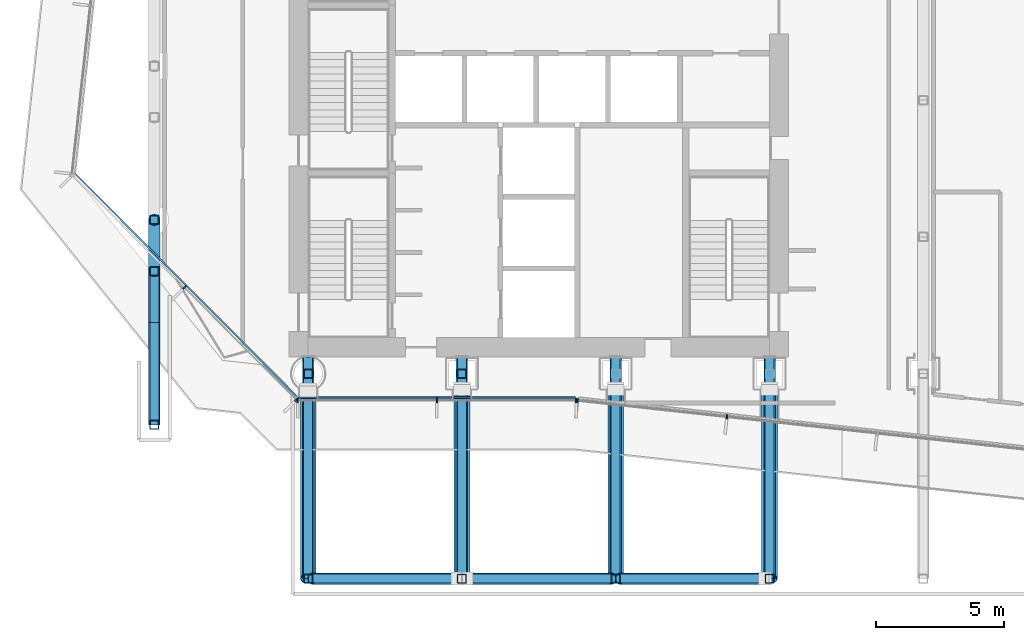
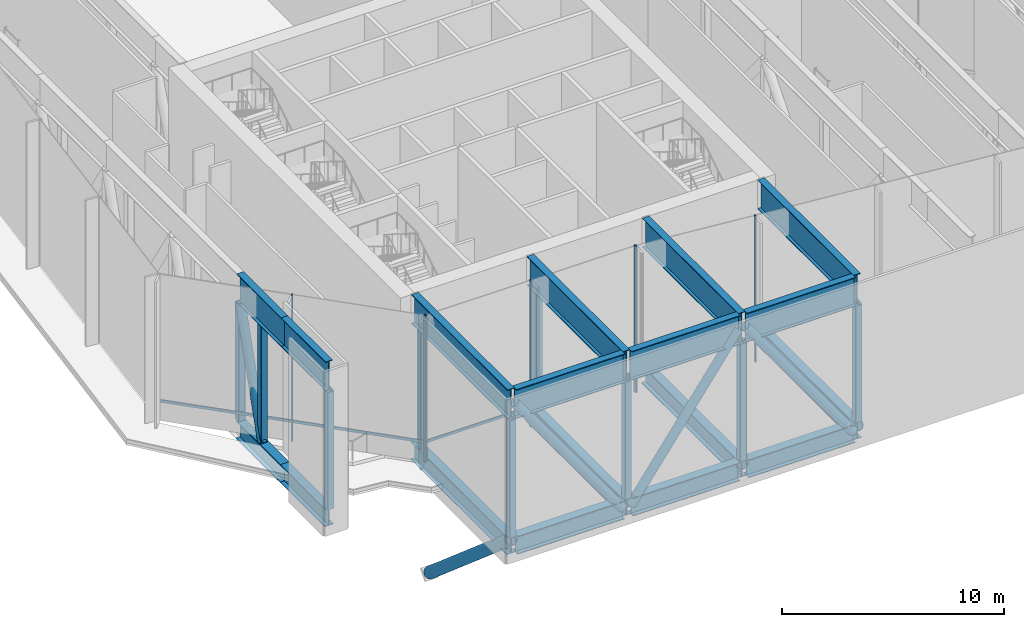
# One storey, part 1 of 24: 38 members, 6 beams, 3 elements without a shape of their own.
"""IFC4 building model written with IfcOpenShell, lengths in metres."""

from ifc_helpers import new_model, si_unit, direction, frame, origin, origin_2d, place, context, subcontext, project, spatial, rectangle, hollow_rectangle, hollow_circle, i_section, extrude, material, layer, layer_set, material_profile, profile_set, type_object, element, aggregate, save


model = new_model("IFC4")

# Units and contexts
model_context = context("Model", 3, precision=1e-05, world=origin(), true_north=direction((0.0, 1.0)))
body_context = subcontext(model_context, "Body", "Model", "MODEL_VIEW")
ifc_project = project(units=[si_unit("LENGTHUNIT", "METRE"), si_unit("AREAUNIT", "SQUARE_METRE"), si_unit("VOLUMEUNIT", "CUBIC_METRE"), si_unit("PLANEANGLEUNIT", "RADIAN"), si_unit("MASSUNIT", "GRAM", prefix="KILO")], contexts=[model_context])

# Site, building, storey
site_placement = place(None, origin())
site = spatial("IfcSite", under=ifc_project, at=site_placement, CompositionType="ELEMENT")
building_placement = place(site_placement, origin())
building = spatial("IfcBuilding", under=site, at=building_placement, Name="Welwitschia Terrace Campus", CompositionType="ELEMENT")
storey_placement = place(building_placement, frame((0.0, 0.0, 138.199951171875)))
storey = spatial("IfcBuildingStorey", under=building, at=storey_placement, Name="L31", CompositionType="ELEMENT", Elevation=138.199951171875)

# Curtain wall, members
ifc_material_1 = material(Name="Bronze anodised aluminium", Category="aluminium")
ifc_layer = layer(ifc_material_1, 0.159912109375)
ifc_layer_set = layer_set([ifc_layer], Name="Bronze anodised aluminium")
curtain_wall_type = type_object("IfcCurtainWallType", Name="Curtain wall CW3 commons 6000", PredefinedType="NOTDEFINED", material=ifc_layer_set)
curtain_wall_1_placement = place(storey_placement, origin())
curtain_wall_1 = element("IfcCurtainWall", 1, at=curtain_wall_1_placement, inside=storey, type_object=curtain_wall_type, Name="CW L31.0.0", PredefinedType="NOTDEFINED")
ifc_material_2 = material(Name="Bronze anodised aluminium", Category="aluminium")
ifc_material_profile_1 = material_profile(ifc_material_2, rectangle(XDim=0.159912109375, YDim=0.06005859375, at=origin_2d()))
ifc_profile_set_1 = profile_set([ifc_material_profile_1], Name="Bronze anodised aluminium")
member_type_1 = type_object("IfcMemberType", Name="Mullion 60x160", PredefinedType="MULLION", material=ifc_profile_set_1)
member_1_placement = place(storey_placement, frame((1.17138671875, 7.356201171875, 0.0), z_axis=(0.0, 0.0, 1.0), x_axis=(0.70854216269, 0.705668480018, 0.0)))
member_1 = element("IfcMember", 2, at=member_1_placement, type_object=member_type_1, Name="Mullion L31.0.0.1", PredefinedType="MULLION", context=body_context, shape_type="SweptSolid", body=[
    extrude(rectangle(XDim=0.159912109375, YDim=0.06005859375, at=origin_2d()), origin(), (0.0, 0.0, 1.0), 8.050048828125),
])
member_2_placement = place(storey_placement, frame((5.53857421875, 2.97119140625, 0.0), z_axis=(0.0, 0.0, 1.0), x_axis=(0.70854216269, 0.705668480018, 0.0)))
member_2 = element("IfcMember", 3, at=member_2_placement, type_object=member_type_1, Name="Mullion L31.0.0.2", PredefinedType="MULLION", context=body_context, shape_type="SweptSolid", body=[
    extrude(rectangle(XDim=0.159912109375, YDim=0.06005859375, at=origin_2d()), origin(), (0.0, 0.0, 1.0), 8.050048828125),
])

curtain_wall_2_placement = place(storey_placement, origin())
curtain_wall_2 = element("IfcCurtainWall", 4, at=curtain_wall_2_placement, inside=storey, type_object=curtain_wall_type, Name="CW L31.1.0", PredefinedType="NOTDEFINED")
member_3_placement = place(storey_placement, frame((5.589599609375, 2.949951171875, 0.0), z_axis=(0.0, 0.0, 1.0), x_axis=(0.0, 1.0, 0.0)))
member_3 = element("IfcMember", 5, at=member_3_placement, type_object=member_type_1, Name="Mullion L31.1.0.0", PredefinedType="MULLION", context=body_context, shape_type="SweptSolid", body=[
    extrude(rectangle(XDim=0.159912109375, YDim=0.06005859375, at=origin_2d()), origin(), (0.0, 0.0, 1.0), 8.050048828125),
])
member_4_placement = place(storey_placement, frame((11.02197265625, 2.949951171875, 0.0), z_axis=(0.0, 0.0, 1.0), x_axis=(0.0, 1.0, 0.0)))
member_4 = element("IfcMember", 6, at=member_4_placement, type_object=member_type_1, Name="Mullion L31.1.0.1", PredefinedType="MULLION", context=body_context, shape_type="SweptSolid", body=[
    extrude(rectangle(XDim=0.159912109375, YDim=0.06005859375, at=origin_2d()), origin(), (0.0, 0.0, 1.0), 8.050048828125),
])
member_5_placement = place(storey_placement, frame((16.45458984375, 2.949951171875, 0.0), z_axis=(0.0, 0.0, 1.0), x_axis=(0.0, 1.0, 0.0)))
member_5 = element("IfcMember", 7, at=member_5_placement, type_object=member_type_1, Name="Mullion L31.1.0.2", PredefinedType="MULLION", context=body_context, shape_type="SweptSolid", body=[
    extrude(rectangle(XDim=0.159912109375, YDim=0.06005859375, at=origin_2d()), origin(), (0.0, 0.0, 1.0), 8.050048828125),
])

curtain_wall_3_placement = place(storey_placement, origin())
curtain_wall_3 = element("IfcCurtainWall", 8, at=curtain_wall_3_placement, inside=storey, type_object=curtain_wall_type, Name="CW L31.2.0", PredefinedType="NOTDEFINED")
member_6_placement = place(storey_placement, frame((16.514404296875, 2.94677734375, 0.0), z_axis=(0.0, 0.0, 1.0), x_axis=(0.108866874852, 0.994056338222, 0.0)))
member_6 = element("IfcMember", 9, at=member_6_placement, type_object=member_type_1, Name="Mullion L31.2.0.0", PredefinedType="MULLION", context=body_context, shape_type="SweptSolid", body=[
    extrude(rectangle(XDim=0.159912109375, YDim=0.06005859375, at=origin_2d()), origin(), (0.0, 0.0, 1.0), 8.050048828125),
])
member_7_placement = place(storey_placement, frame((22.338623046875, 2.308837890625, 0.0), z_axis=(0.0, 0.0, 1.0), x_axis=(0.108866874852, 0.994056338222, 0.0)))
member_7 = element("IfcMember", 10, at=member_7_placement, type_object=member_type_1, Name="Mullion L31.2.0.1", PredefinedType="MULLION", context=body_context, shape_type="SweptSolid", body=[
    extrude(rectangle(XDim=0.159912109375, YDim=0.06005859375, at=origin_2d()), origin(), (0.0, 0.0, 1.0), 8.050048828125),
])
aggregate(curtain_wall_3, [member_6, member_7])

# Members
ifc_material_3 = material(Name="Steel S355", Category="steel")
ifc_material_profile_2 = material_profile(ifc_material_3, hollow_circle(Radius=0.304931640625, WallThickness=0.02490234375, at=origin_2d()))
ifc_profile_set_2 = profile_set([ifc_material_profile_2], Name="Steel S355")
member_type_2 = type_object("IfcMemberType", Name="Tip brace C2 CHS 610x25", PredefinedType="BRACE", material=ifc_profile_set_2)
member_8_placement = place(storey_placement, frame((6.0, 3.302001953125, -6.474853515625), z_axis=(0.0, -0.759122215847, 0.650948124974), x_axis=(1.0, 0.0, 0.0)))
element("IfcMember", 11, at=member_8_placement, inside=storey, type_object=member_type_2, Name="Tip brace", PredefinedType="BRACE", context=body_context, shape_type="SweptSolid", body=[
    extrude(hollow_circle(Radius=0.304931640625, WallThickness=0.02490234375, at=origin_2d()), origin(), (0.0, 0.0, 1.0), 9.618896484375),
])
for number, where, z_axis, x_axis, name in (
    (12, (12.0, 3.352783203125, -6.474853515625), (0.0, -0.761345826408, 0.648345997606), (1.0, 0.0, 0.0), "Tip brace"),
    (13, (18.0, 3.352783203125, -6.474853515625), (0.0, -0.761345826408, 0.648345997606), (1.0, 0.0, 0.0), "Tip brace"),
    (14, (24.0, 3.352783203125, -6.474853515625), (0.0, -0.761345826408, 0.648345997606), (1.0, 0.0, 0.0), "Tip brace"),
):
    element("IfcMember", number, at=place(storey_placement, frame(where, z_axis=z_axis, x_axis=x_axis)), inside=storey, type_object=member_type_2, Name=name, PredefinedType="BRACE", context=body_context, shape_type="SweptSolid", body=[
        extrude(hollow_circle(Radius=0.304931640625, WallThickness=0.02490234375, at=origin_2d()), origin(), (0.0, 0.0, 1.0), 9.65771484375),
    ])
ifc_material_4 = material(Name="Steel S355", Category="steel")
ifc_material_profile_3 = material_profile(ifc_material_4, hollow_circle(Radius=0.228515625, WallThickness=0.02001953125, at=origin_2d()))
ifc_profile_set_3 = profile_set([ifc_material_profile_3], Name="Steel S355")
member_type_3 = type_object("IfcMemberType", Name="Tip edge diagonal C2 CHS 457x20", PredefinedType="BRACE", material=ifc_profile_set_3)
for number, where, z_axis, x_axis, name in (
    (15, (11.77490234375, -4.0, -0.5), (-0.585671400186, 0.0, 0.810548586455), (0.0, -1.0, 0.0), "Truss diagonal"),
    (16, (12.22509765625, -4.0, -0.5), (0.585671400186, 0.0, 0.810548586455), (0.0, 1.0, 0.0), "Truss diagonal"),
    (17, (23.77490234375, -4.0, -0.5), (-0.585671400186, 0.0, 0.810548586455), (0.0, -1.0, 0.0), "Truss diagonal"),
):
    element("IfcMember", number, at=place(storey_placement, frame(where, z_axis=z_axis, x_axis=x_axis)), inside=storey, type_object=member_type_3, Name=name, PredefinedType="BRACE", context=body_context, shape_type="SweptSolid", body=[
        extrude(hollow_circle(Radius=0.228515625, WallThickness=0.02001953125, at=origin_2d()), origin(), (0.0, 0.0, 1.0), 9.5615234375),
    ])

# Beams
ifc_material_5 = material(Name="Steel S355", Category="steel")
ifc_material_profile_4 = material_profile(ifc_material_5, i_section(OverallWidth=0.449951171875, OverallDepth=1.0, WebThickness=0.030029296875, FlangeThickness=0.0400390625, at=origin_2d()))
ifc_profile_set_4 = profile_set([ifc_material_profile_4], Name="Steel S355")
beam_type_1 = type_object("IfcBeamType", Name="Tip edge girder C2 bottom WI 1000x450x30x40", PredefinedType="BEAM", material=ifc_profile_set_4)
for number, where, z_axis, x_axis, name in (
    (18, (6.22509765625, -4.0, -0.5), (1.0, 0.0, 0.0), (0.0, 1.0, 0.0), "Tip edge girder"),
    (19, (12.22509765625, -4.0, -0.5), (1.0, 0.0, 0.0), (0.0, 1.0, 0.0), "Tip edge girder"),
    (20, (18.22509765625, -4.0, -0.5), (1.0, 0.0, 0.0), (0.0, 1.0, 0.0), "Tip edge girder"),
):
    element("IfcBeam", number, at=place(storey_placement, frame(where, z_axis=z_axis, x_axis=x_axis)), inside=storey, type_object=beam_type_1, Name=name, PredefinedType="BEAM", context=body_context, shape_type="SweptSolid", body=[
        extrude(i_section(OverallWidth=0.449951171875, OverallDepth=1.0, WebThickness=0.030029296875, FlangeThickness=0.0400390625, at=origin_2d()), origin(), (0.0, 0.0, 1.0), 5.5498046875),
    ])
ifc_material_6 = material(Name="Steel S355", Category="steel")
ifc_material_profile_5 = material_profile(ifc_material_6, i_section(OverallWidth=0.35009765625, OverallDepth=1.60009765625, WebThickness=0.030029296875, FlangeThickness=0.0400390625, at=origin_2d()))
ifc_profile_set_5 = profile_set([ifc_material_profile_5], Name="Steel S355")
beam_type_2 = type_object("IfcBeamType", Name="Tip edge girder C2 top WI 1600x350x30x40", PredefinedType="BEAM", material=ifc_profile_set_5)
for number, where, z_axis, x_axis, name in (
    (21, (6.175048828125, -4.0, 7.25), (1.0, 0.0, 0.0), (0.0, 1.0, 0.0), "Tip edge girder"),
    (22, (12.175048828125, -4.0, 7.25), (1.0, 0.0, 0.0), (0.0, 1.0, 0.0), "Tip edge girder"),
    (23, (18.175048828125, -4.0, 7.25), (1.0, 0.0, 0.0), (0.0, 1.0, 0.0), "Tip edge girder"),
):
    element("IfcBeam", number, at=place(storey_placement, frame(where, z_axis=z_axis, x_axis=x_axis)), inside=storey, type_object=beam_type_2, Name=name, PredefinedType="BEAM", context=body_context, shape_type="SweptSolid", body=[
        extrude(i_section(OverallWidth=0.35009765625, OverallDepth=1.60009765625, WebThickness=0.030029296875, FlangeThickness=0.0400390625, at=origin_2d()), origin(), (0.0, 0.0, 1.0), 5.64990234375),
    ])

# Members
ifc_material_7 = material(Name="Steel S355", Category="steel")
ifc_material_profile_6 = material_profile(ifc_material_7, i_section(OverallWidth=0.449951171875, OverallDepth=1.0, WebThickness=0.0400390625, FlangeThickness=0.0400390625, at=origin_2d()))
ifc_profile_set_6 = profile_set([ifc_material_profile_6], Name="Steel S355")
member_type_4 = type_object("IfcMemberType", Name="Transfer truss C2 bottom cantilever chord WI 1000x450x40x40", PredefinedType="CHORD", material=ifc_profile_set_6)
for number, where, z_axis, x_axis, name in (
    (24, (0.0, 2.0, -0.5), (0.0, 1.0, 0.0), (-1.0, 0.0, 0.0), "Truss bottom chord"),
    (25, (0.0, 6.0, -0.5), (0.0, 1.0, 0.0), (-1.0, 0.0, 0.0), "Truss bottom chord"),
):
    element("IfcMember", number, at=place(storey_placement, frame(where, z_axis=z_axis, x_axis=x_axis)), inside=storey, type_object=member_type_4, Name=name, PredefinedType="CHORD", context=body_context, shape_type="SweptSolid", body=[
        extrude(i_section(OverallWidth=0.449951171875, OverallDepth=1.0, WebThickness=0.0400390625, FlangeThickness=0.0400390625, at=origin_2d()), origin(), (0.0, 0.0, 1.0), 4.0),
    ])
for number, where, z_axis, x_axis, name in (
    (26, (6.0, -4.0, -0.5), (0.0, 1.0, 0.0), (-1.0, 0.0, 0.0), "Truss bottom chord"),
    (27, (12.0, -4.0, -0.5), (0.0, 1.0, 0.0), (-1.0, 0.0, 0.0), "Truss bottom chord"),
    (28, (18.0, -4.0, -0.5), (0.0, 1.0, 0.0), (-1.0, 0.0, 0.0), "Truss bottom chord"),
    (29, (24.0, -4.0, -0.5), (0.0, 1.0, 0.0), (-1.0, 0.0, 0.0), "Truss bottom chord"),
):
    element("IfcMember", number, at=place(storey_placement, frame(where, z_axis=z_axis, x_axis=x_axis)), inside=storey, type_object=member_type_4, Name=name, PredefinedType="CHORD", context=body_context, shape_type="SweptSolid", body=[
        extrude(i_section(OverallWidth=0.449951171875, OverallDepth=1.0, WebThickness=0.0400390625, FlangeThickness=0.0400390625, at=origin_2d()), origin(), (0.0, 0.0, 1.0), 8.64990234375),
    ])
ifc_material_8 = material(Name="Steel S355", Category="steel")
ifc_material_profile_7 = material_profile(ifc_material_8, hollow_circle(Radius=0.228515625, WallThickness=0.02001953125, at=origin_2d()))
ifc_profile_set_7 = profile_set([ifc_material_profile_7], Name="Steel S355")
member_type_5 = type_object("IfcMemberType", Name="Transfer truss C2 diagonal CHS 457x20", PredefinedType="BRACE", material=ifc_profile_set_7)
member_9_placement = place(storey_placement, frame((0.0, 8.0, 0.0), z_axis=(0.0, 0.296168365803, 0.955135749042), x_axis=(-1.0, 0.0, 0.0)))
element("IfcMember", 30, at=member_9_placement, inside=storey, type_object=member_type_5, Name="Truss diagonal", PredefinedType="BRACE", context=body_context, shape_type="SweptSolid", body=[
    extrude(hollow_circle(Radius=0.228515625, WallThickness=0.02001953125, at=origin_2d()), origin(), (0.0, 0.0, 1.0), 6.7529296875),
])
ifc_material_9 = material(Name="Steel S355", Category="steel")
ifc_material_profile_8 = material_profile(ifc_material_9, hollow_rectangle(XDim=0.35009765625, YDim=0.35009765625, WallThickness=0.02001953125, InnerFilletRadius=0.02001953125, OuterFilletRadius=0.030029296875, at=origin_2d()))
ifc_profile_set_8 = profile_set([ifc_material_profile_8], Name="Steel S355")
member_type_6 = type_object("IfcMemberType", Name="Transfer truss C2 post SHS 350x350x20", PredefinedType="POST", material=ifc_profile_set_8)
for number, where, z_axis, x_axis, name in (
    (31, (0.0, 2.0, 0.0), (0.0, 0.0, 1.0), (1.0, 0.0, 0.0), "Truss post"),
    (32, (0.0, 8.0, 0.0), (0.0, 0.0, 1.0), (1.0, 0.0, 0.0), "Truss post"),
    (33, (0.0, 10.0, 0.0), (0.0, 0.0, 1.0), (1.0, 0.0, 0.0), "Truss post"),
    (34, (6.0, -4.0, 0.0), (0.0, 0.0, 1.0), (1.0, 0.0, 0.0), "Truss post"),
    (35, (6.0, 4.0, 0.0), (0.0, 0.0, 1.0), (1.0, 0.0, 0.0), "Truss post"),
    (36, (12.0, -4.0, 0.0), (0.0, 0.0, 1.0), (1.0, 0.0, 0.0), "Truss post"),
    (37, (12.0, 4.0, 0.0), (0.0, 0.0, 1.0), (1.0, 0.0, 0.0), "Truss post"),
    (38, (18.0, -4.0, 0.0), (0.0, 0.0, 1.0), (1.0, 0.0, 0.0), "Truss post"),
    (39, (24.0, -4.0, 0.0), (0.0, 0.0, 1.0), (1.0, 0.0, 0.0), "Truss post"),
):
    element("IfcMember", number, at=place(storey_placement, frame(where, z_axis=z_axis, x_axis=x_axis)), inside=storey, type_object=member_type_6, Name=name, PredefinedType="POST", context=body_context, shape_type="SweptSolid", body=[
        extrude(hollow_rectangle(XDim=0.35009765625, YDim=0.35009765625, WallThickness=0.02001953125, InnerFilletRadius=0.02001953125, OuterFilletRadius=0.030029296875, at=origin_2d()), origin(), (0.0, 0.0, 1.0), 6.449951171875),
    ])
ifc_material_10 = material(Name="Steel S355", Category="steel")
ifc_material_profile_9 = material_profile(ifc_material_10, i_section(OverallWidth=0.35009765625, OverallDepth=1.60009765625, WebThickness=0.0400390625, FlangeThickness=0.0400390625, at=origin_2d()))
ifc_profile_set_9 = profile_set([ifc_material_profile_9], Name="Steel S355")
member_type_7 = type_object("IfcMemberType", Name="Transfer truss C2 top cantilever chord WI 1600x350x40x40", PredefinedType="CHORD", material=ifc_profile_set_9)
for number, where, z_axis, x_axis, name in (
    (40, (0.0, 2.0, 7.25), (0.0, 1.0, 0.0), (-1.0, 0.0, 0.0), "Truss top chord"),
    (41, (0.0, 6.0, 7.25), (0.0, 1.0, 0.0), (-1.0, 0.0, 0.0), "Truss top chord"),
):
    element("IfcMember", number, at=place(storey_placement, frame(where, z_axis=z_axis, x_axis=x_axis)), inside=storey, type_object=member_type_7, Name=name, PredefinedType="CHORD", context=body_context, shape_type="SweptSolid", body=[
        extrude(i_section(OverallWidth=0.35009765625, OverallDepth=1.60009765625, WebThickness=0.0400390625, FlangeThickness=0.0400390625, at=origin_2d()), origin(), (0.0, 0.0, 1.0), 4.0),
    ])
for number, where, z_axis, x_axis, name in (
    (42, (6.0, -4.0, 7.25), (0.0, 1.0, 0.0), (-1.0, 0.0, 0.0), "Truss top chord"),
    (43, (12.0, -4.0, 7.25), (0.0, 1.0, 0.0), (-1.0, 0.0, 0.0), "Truss top chord"),
    (44, (18.0, -4.0, 7.25), (0.0, 1.0, 0.0), (-1.0, 0.0, 0.0), "Truss top chord"),
    (45, (24.0, -4.0, 7.25), (0.0, 1.0, 0.0), (-1.0, 0.0, 0.0), "Truss top chord"),
):
    element("IfcMember", number, at=place(storey_placement, frame(where, z_axis=z_axis, x_axis=x_axis)), inside=storey, type_object=member_type_7, Name=name, PredefinedType="CHORD", context=body_context, shape_type="SweptSolid", body=[
        extrude(i_section(OverallWidth=0.35009765625, OverallDepth=1.60009765625, WebThickness=0.0400390625, FlangeThickness=0.0400390625, at=origin_2d()), origin(), (0.0, 0.0, 1.0), 8.64990234375),
    ])

# Member
ifc_material_11 = material(Name="Bronze anodised aluminium", Category="aluminium")
ifc_material_profile_10 = material_profile(ifc_material_11, rectangle(XDim=0.06005859375, YDim=0.14990234375, at=origin_2d()))
ifc_profile_set_10 = profile_set([ifc_material_profile_10], Name="Bronze anodised aluminium")
member_type_8 = type_object("IfcMemberType", Name="Transom 60x150", PredefinedType="USERDEFINED", material=ifc_profile_set_10)
member_10_placement = place(storey_placement, frame((-3.0966796875, 11.79736328125, 1.0), z_axis=(0.705668296334, -0.708542345628, 0.0), x_axis=(0.708542345628, 0.705668296334, 0.0)))
member_10 = element("IfcMember", 46, at=member_10_placement, type_object=member_type_8, Name="Transom L31.0.0", ObjectType="TRANSOM", PredefinedType="USERDEFINED", context=body_context, shape_type="SweptSolid", body=[
    extrude(rectangle(XDim=0.06005859375, YDim=0.14990234375, at=origin_2d()), origin(), (0.0, 0.0, 1.0), 12.317138671875),
])

aggregate(curtain_wall_1, [member_1, member_2, member_10])

member_11_placement = place(storey_placement, frame((5.61962890625, 3.06005859375, 1.0), z_axis=(1.0, 0.0, 0.0), x_axis=(0.0, 1.0, 0.0)))
member_11 = element("IfcMember", 47, at=member_11_placement, type_object=member_type_8, Name="Transom L31.1.0", ObjectType="TRANSOM", PredefinedType="USERDEFINED", context=body_context, shape_type="SweptSolid", body=[
    extrude(rectangle(XDim=0.06005859375, YDim=0.14990234375, at=origin_2d()), origin(), (0.0, 0.0, 1.0), 10.804931640625),
])

aggregate(curtain_wall_2, [member_3, member_4, member_5, member_11])

save(model, "model.ifc")
